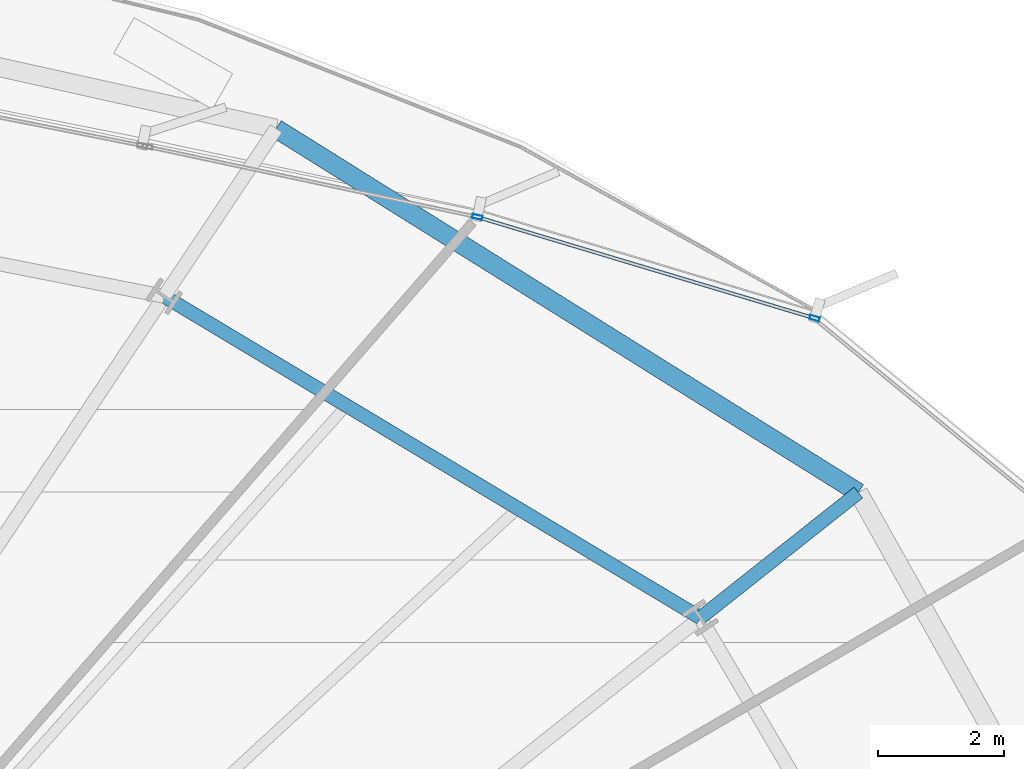
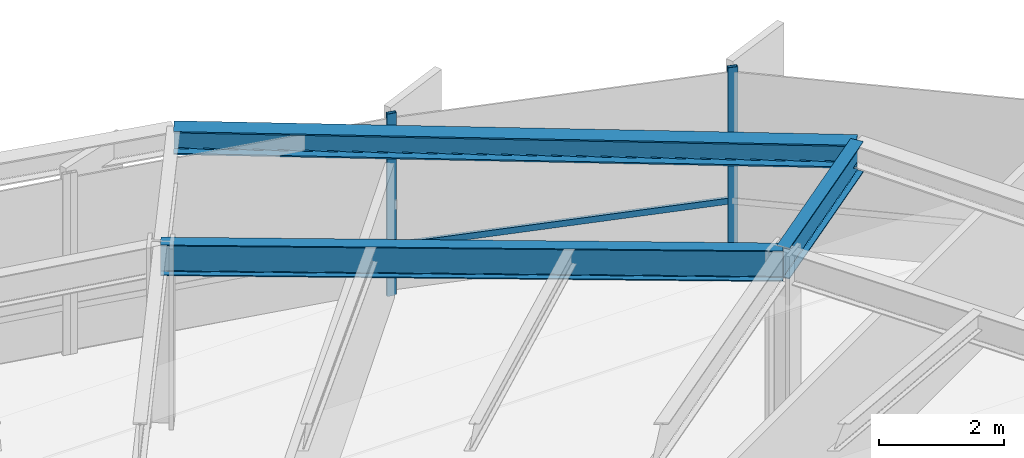
# One storey, part 25 of 37: 3 beams, 3 members, 1 element without a shape of its own.
"""IFC4 building model written with IfcOpenShell, lengths in metres."""

from ifc_helpers import new_model, si_unit, direction, frame, origin, origin_2d, place, context, subcontext, project, spatial, hollow_rectangle, i_section, extrude, source, transform, mapped, material, layer, layer_set, material_profile, profile_set, type_object, element, aggregate, save


model = new_model("IFC4")

# Units and contexts
model_context = context("Model", 3, precision=1e-05, world=origin(), true_north=direction((0.0, 1.0)))
body_context = subcontext(model_context, "Body", "Model", "MODEL_VIEW")
ifc_project = project(units=[si_unit("LENGTHUNIT", "METRE"), si_unit("AREAUNIT", "SQUARE_METRE"), si_unit("VOLUMEUNIT", "CUBIC_METRE"), si_unit("PLANEANGLEUNIT", "RADIAN"), si_unit("MASSUNIT", "GRAM", prefix="KILO"), si_unit("THERMODYNAMICTEMPERATUREUNIT", "KELVIN")], contexts=[model_context])

# Site, building, storey
site_placement = place(None, origin())
site = spatial("IfcSite", under=ifc_project, at=site_placement, CompositionType="ELEMENT")
building_placement = place(site_placement, origin())
building = spatial("IfcBuilding", under=site, at=building_placement, Name="Kethvar Cultural Tower", CompositionType="ELEMENT")
storey_placement = place(building_placement, frame((0.0, 0.0, 56.199951171875)))
storey = spatial("IfcBuildingStorey", under=building, at=storey_placement, Name="L13", CompositionType="ELEMENT", Elevation=56.199951171875)

# Beams
ifc_material_1 = material(Name="Steel S355J2", Category="steel")
ifc_material_profile_1 = material_profile(ifc_material_1, i_section(OverallWidth=0.219970703125, OverallDepth=0.60009765625, WebThickness=0.011962890625, FlangeThickness=0.01904296875, FilletRadius=0.02392578125, at=origin_2d()), Name="Steel S355J2 — IPE600")
ifc_profile_set_1 = profile_set([ifc_material_profile_1], Name="Steel S355J2 — IPE600")
beam_type_1 = type_object("IfcBeamType", Name="BM-IPE600", PredefinedType="BEAM", material=ifc_profile_set_1)
shared_shape_1 = source(origin(), body_context, "Body", "SweptSolid", [
    extrude(i_section(OverallWidth=0.219970703125, OverallDepth=0.60009765625, WebThickness=0.011962890625, FlangeThickness=0.01904296875, FilletRadius=0.02392578125, at=origin_2d()), origin(), (0.0, 0.0, 1.0), 3.199951171875),
])
beam_1_placement = place(storey_placement, frame((68.33642578125, 42.190185546875, 3.248046875), z_axis=(0.783844666756, 0.62095695374, 0.0), x_axis=(-0.62095695374, 0.783844666756, 0.0)))
element("IfcBeam", 1, at=beam_1_placement, inside=storey, type_object=beam_type_1, Name="L13 Perimeter Cantilever Beam RC-02", PredefinedType="BEAM", context=body_context, shape_type="MappedRepresentation", body=[
    mapped(shared_shape_1, transform((0.0, 0.0, 0.0), scale=1.0)),
])
shared_shape_2 = source(origin(), body_context, "Body", "SweptSolid", [
    extrude(i_section(OverallWidth=0.219970703125, OverallDepth=0.60009765625, WebThickness=0.011962890625, FlangeThickness=0.01904296875, FilletRadius=0.02392578125, at=origin_2d()), origin(), (0.0, 0.0, 1.0), 9.924072265625),
])
beam_2_placement = place(storey_placement, frame((68.33642578125, 42.190185546875, 3.248046875), z_axis=(-0.857664361463, 0.514209921215, 0.0), x_axis=(-0.514209921215, -0.857664361463, 0.0)))
element("IfcBeam", 2, at=beam_2_placement, inside=storey, type_object=beam_type_1, Name="L13 Column Ring Tie Beam CR-02", PredefinedType="BEAM", context=body_context, shape_type="MappedRepresentation", body=[
    mapped(shared_shape_2, transform((0.0, 0.0, 0.0), scale=1.0)),
])
ifc_material_profile_2 = material_profile(ifc_material_1, i_section(OverallWidth=0.300048828125, OverallDepth=0.449951171875, WebThickness=0.013916015625, FlangeThickness=0.02587890625, FilletRadius=0.027099609375, at=origin_2d()), Name="Steel S355J2 — HEB450")
ifc_profile_set_2 = profile_set([ifc_material_profile_2], Name="Steel S355J2 — HEB450")
beam_type_2 = type_object("IfcBeamType", Name="BM-SP450", PredefinedType="SPANDREL", material=ifc_profile_set_2)
shared_shape_3 = source(origin(), body_context, "Body", "SweptSolid", [
    extrude(i_section(OverallWidth=0.300048828125, OverallDepth=0.449951171875, WebThickness=0.013916015625, FlangeThickness=0.02587890625, FilletRadius=0.027099609375, at=origin_2d()), origin(), (0.0, 0.0, 1.0), 10.89892578125),
])
beam_3_placement = place(storey_placement, frame((70.8447265625, 44.17724609375, 3.322998046875), z_axis=(-0.847971875365, 0.530041223481, 0.0), x_axis=(-0.530041223481, -0.847971875365, 0.0)))
element("IfcBeam", 3, at=beam_3_placement, inside=storey, type_object=beam_type_2, Name="L13 Perimeter Spandrel Beam SP-02", PredefinedType="SPANDREL", context=body_context, shape_type="MappedRepresentation", body=[
    mapped(shared_shape_3, transform((0.0, 0.0, 0.0), scale=1.0)),
])

# Curtain wall, members
ifc_material_2 = material(Name="Aluminium 6063-T6", Category="aluminium")
ifc_layer = layer(ifc_material_2, 0.179931640625, Name="Aluminium 6063-T6", Category="aluminium")
ifc_layer_set = layer_set([ifc_layer], Name="Aluminium 6063-T6 (180 mm)")
curtain_wall_type = type_object("IfcCurtainWallType", Name="CW-SYS-02-Z1", PredefinedType="NOTDEFINED", material=ifc_layer_set)
curtain_wall_placement = place(storey_placement, origin())
curtain_wall = element("IfcCurtainWall", 4, at=curtain_wall_placement, inside=storey, type_object=curtain_wall_type, Name="L13 Curtain Wall Run 01", PredefinedType="NOTDEFINED")
ifc_material_profile_3 = material_profile(ifc_material_2, hollow_rectangle(XDim=0.06494140625, YDim=0.159912109375, WallThickness=0.0048828125, at=origin_2d()), Name="Aluminium 6063-T6 — RHS160x65x5")
ifc_profile_set_3 = profile_set([ifc_material_profile_3], Name="Aluminium 6063-T6 — RHS160x65x5")
member_type_1 = type_object("IfcMemberType", Name="CW-SYS-02-Z1-MUL", PredefinedType="MULLION", material=ifc_profile_set_3)
shared_shape_4 = source(origin(), body_context, "Body", "SweptSolid", [
    extrude(hollow_rectangle(XDim=0.06494140625, YDim=0.159912109375, WallThickness=0.0048828125, at=origin_2d()), origin(), (0.0, 0.0, 1.0), 3.550048828125),
])
member_1_placement = place(storey_placement, frame((70.14990234375, 46.944091796875, 0.0), z_axis=(0.0, 0.0, 1.0), x_axis=(-0.287410670924, -0.957807447371, 0.0)))
member_1 = element("IfcMember", 5, at=member_1_placement, type_object=member_type_1, Name="CW-L13-R01 Mullion 5", PredefinedType="MULLION", context=body_context, shape_type="MappedRepresentation", body=[
    mapped(shared_shape_4, transform((0.0, 0.0, 0.0), scale=1.0)),
])
member_2_placement = place(storey_placement, frame((64.79541015625, 48.55126953125, 0.0), z_axis=(0.0, 0.0, 1.0), x_axis=(-0.208372608913, -0.978049516055, 0.0)))
member_2 = element("IfcMember", 6, at=member_2_placement, type_object=member_type_1, Name="CW-L13-R01 Mullion 6", PredefinedType="MULLION", context=body_context, shape_type="MappedRepresentation", body=[
    mapped(shared_shape_4, transform((0.0, 0.0, 0.0), scale=1.0)),
])
ifc_material_profile_4 = material_profile(ifc_material_2, hollow_rectangle(XDim=0.054931640625, YDim=0.1201171875, WallThickness=0.00390625, at=origin_2d()), Name="Aluminium 6063-T6 — RHS120x55x4")
ifc_profile_set_4 = profile_set([ifc_material_profile_4], Name="Aluminium 6063-T6 — RHS120x55x4")
member_type_2 = type_object("IfcMemberType", Name="CW-SYS-02-Z1-TRN", PredefinedType="USERDEFINED", material=ifc_profile_set_4)
shared_shape_5 = source(origin(), body_context, "Body", "SweptSolid", [
    extrude(hollow_rectangle(XDim=0.054931640625, YDim=0.1201171875, WallThickness=0.00390625, at=origin_2d()), origin(), (0.0, 0.0, 1.0), 5.5068359375),
])
member_3_placement = place(storey_placement, frame((70.105224609375, 46.95751953125, 0.949951171875), z_axis=(-0.957804318502, 0.287421097799, 0.0), x_axis=(-0.287421097799, -0.957804318502, 0.0)))
member_3 = element("IfcMember", 7, at=member_3_placement, type_object=member_type_2, Name="CW-L13-R01 Transom 5", ObjectType="TRANSOM", PredefinedType="USERDEFINED", context=body_context, shape_type="MappedRepresentation", body=[
    mapped(shared_shape_5, transform((0.0, 0.0, 0.0), scale=1.0)),
])
aggregate(curtain_wall, [member_1, member_2, member_3])

save(model, "model.ifc")
